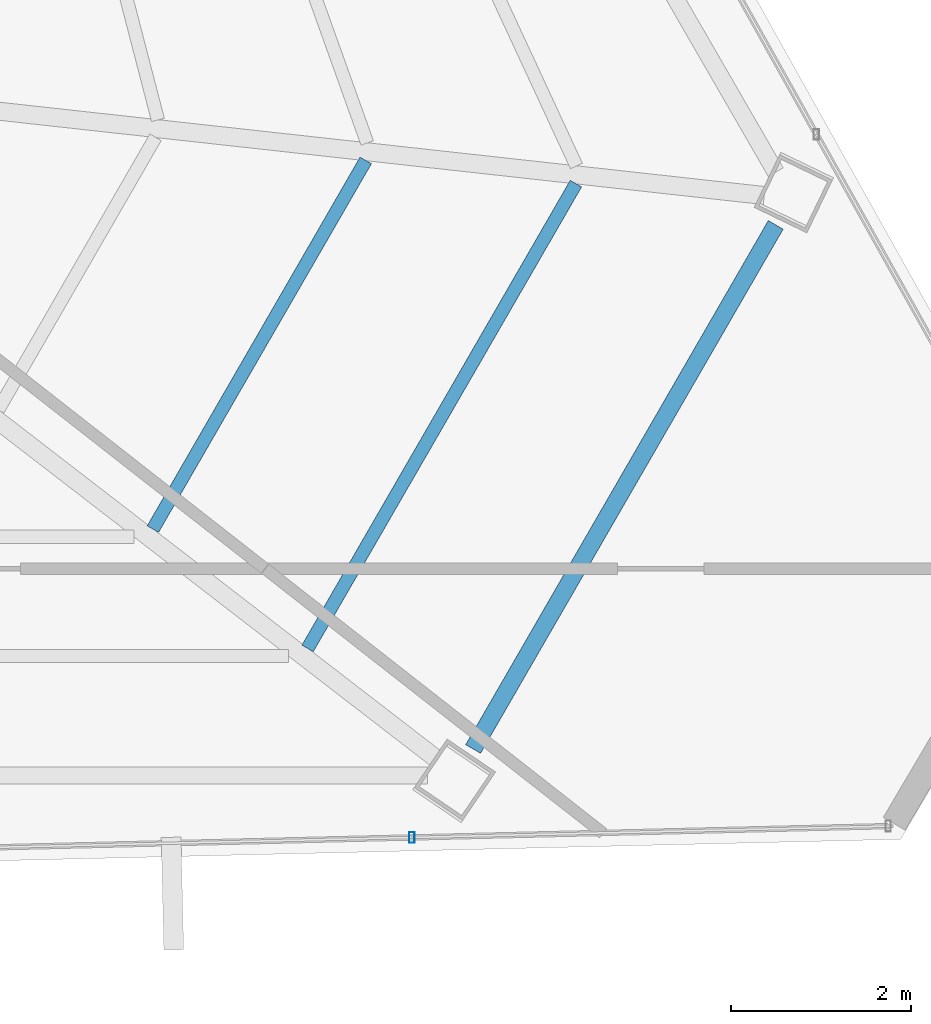
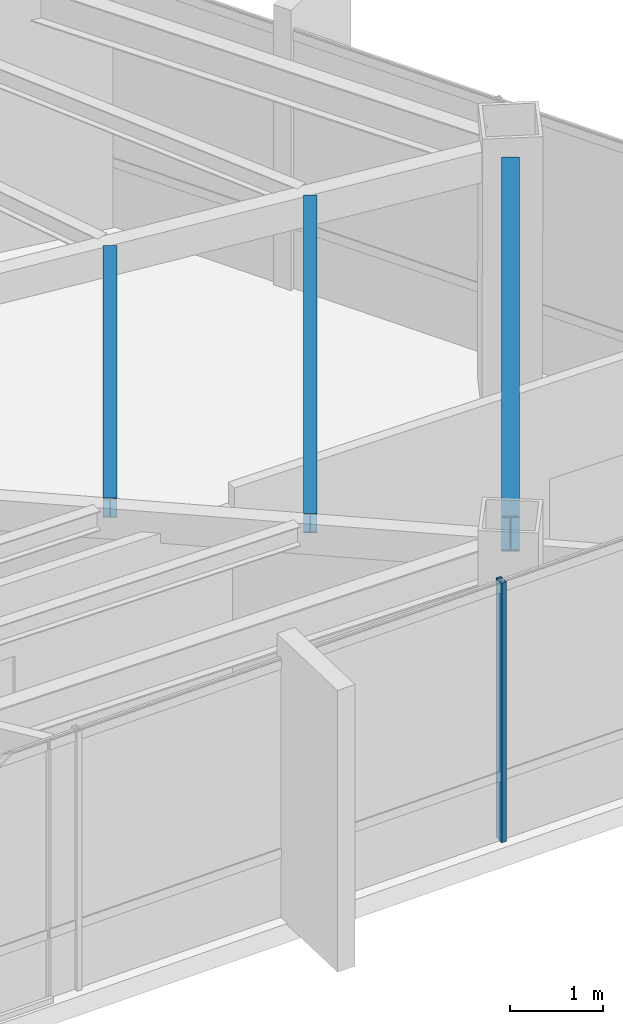
# One storey, part 21 of 44: 3 beams, 1 member, 1 element without a shape of its own.
"""IFC4 building model written with IfcOpenShell, lengths in metres."""

import ifcopenshell
import ifcopenshell.guid

model = None  # the IFC model being written
_history = None  # IfcOwnerHistory: only IFC2X3 demands one
_inside = {}  # id of a spatial element -> (the spatial element, [elements in it])
_under = {}  # id of a project, library or spatial element -> (it, [spatial elements below it])
_declared = {}  # id of a project -> (the project, [libraries it declares])
_typed = {}  # id of a type object -> (the type object, [elements of that type])
_made_of = {}  # id of a material, layer set ... -> (it, [elements and type objects made of it])


def new_model(schema):
    """Start an empty IFC model of exactly this schema.

    Asked for "IFC4X3", IfcOpenShell would pick the latest addendum, in which some entities
    have other attributes; the version numbers below select the first issue.
    IFC2X3 requires an IfcOwnerHistory on every rooted entity: one is made here for all.
    """
    global model, _history
    if schema == "IFC4X3":
        model = ifcopenshell.file(schema_version=(4, 3, 0, 0))
    else:
        model = ifcopenshell.file(schema=schema)
    _inside.clear()
    _under.clear()
    _declared.clear()
    _typed.clear()
    _made_of.clear()
    _history = None
    if model.schema == "IFC2X3":
        org = make("IfcOrganization", Name="unknown")
        user = make(
            "IfcPersonAndOrganization",
            ThePerson=make("IfcPerson", FamilyName="unknown"),
            TheOrganization=org,
        )
        app = make(
            "IfcApplication",
            ApplicationDeveloper=org,
            Version="unknown",
            ApplicationFullName="unknown",
            ApplicationIdentifier="unknown",
        )
        _history = make(
            "IfcOwnerHistory",
            OwningUser=user,
            OwningApplication=app,
            ChangeAction="ADDED",
            CreationDate=0,
        )
    return model


def make(cls, **values):
    """One entity of the class cls with the attributes given. An attribute that is None is left unset."""
    return model.create_entity(
        cls, **{name: value for name, value in values.items() if value is not None}
    )


def rooted(cls, **values):
    """An entity with a GlobalId (a new one), such as an element, a storey or a relation."""
    return make(cls, GlobalId=ifcopenshell.guid.new(), OwnerHistory=_history, **values)


def si_unit(unit_type, name, prefix=None):
    """IfcSIUnit, for example si_unit("LENGTHUNIT", "METRE", prefix="MILLI")."""
    return make("IfcSIUnit", UnitType=unit_type, Prefix=prefix, Name=name)


def assignment(units):
    """IfcUnitAssignment: the units of a project."""
    return None if units is None else make("IfcUnitAssignment", Units=units)


def point(xyz):
    """IfcCartesianPoint."""
    return None if xyz is None else make("IfcCartesianPoint", Coordinates=xyz)


def direction(xyz):
    """IfcDirection."""
    return None if xyz is None else make("IfcDirection", DirectionRatios=xyz)


def frame(location, z_axis=None, x_axis=None):
    """IfcAxis2Placement3D, a coordinate frame: its origin and axes. An axis left out is left unset."""
    return make(
        "IfcAxis2Placement3D",
        Location=point(location),
        Axis=direction(z_axis),
        RefDirection=direction(x_axis),
    )


def frame_2d(location, x_axis=None):
    """IfcAxis2Placement2D, a coordinate frame in the plane: its origin and x axis."""
    return make(
        "IfcAxis2Placement2D", Location=point(location), RefDirection=direction(x_axis)
    )


def origin():
    """The frame at (0, 0, 0) with its axes left unset."""
    return frame((0.0, 0.0, 0.0))


def origin_2d():
    """The frame at (0, 0) in the plane with its x axis left unset."""
    return frame_2d((0.0, 0.0))


def place(relative_to, where):
    """IfcLocalPlacement: puts the frame where relative to a parent placement (None: the world)."""
    return make(
        "IfcLocalPlacement", PlacementRelTo=relative_to, RelativePlacement=where
    )


def context(
    kind, dimensions, precision=None, world=None, true_north=None, identifier=None
):
    """IfcGeometricRepresentationContext, for example the 3D "Model" context."""
    return make(
        "IfcGeometricRepresentationContext",
        ContextIdentifier=identifier,
        ContextType=kind,
        CoordinateSpaceDimension=dimensions,
        Precision=precision,
        WorldCoordinateSystem=world,
        TrueNorth=true_north,
    )


def subcontext(parent, identifier, kind, view, scale=None):
    """IfcGeometricRepresentationSubContext, for example "Body" below "Model"."""
    return make(
        "IfcGeometricRepresentationSubContext",
        ContextIdentifier=identifier,
        ContextType=kind,
        ParentContext=parent,
        TargetScale=scale,
        TargetView=view,
    )


def project(units=None, contexts=None):
    """IfcProject with its units and contexts."""
    return rooted(
        "IfcProject",
        Name="project",
        RepresentationContexts=contexts,
        UnitsInContext=assignment(units),
    )


def spatial(cls, under=None, at=None, **own):
    """A site, building, storey or space (cls), placed at a placement, below another one or the project."""
    s = rooted(cls, ObjectPlacement=at, **own)
    if under is not None:
        _under.setdefault(under.id(), (under, []))[1].append(s)
    return s


def profile(cls, at=None, kind="AREA", **sizes):
    """A parametric profile (cls). Its sizes go by their IFC names, for example OverallWidth=200.0."""
    return make(cls, ProfileType=kind, Position=at, **sizes)


def hollow_rectangle(**sizes):
    """IfcRectangleHollowProfileDef."""
    return profile("IfcRectangleHollowProfileDef", **sizes)


def i_section(**sizes):
    """IfcIShapeProfileDef."""
    return profile("IfcIShapeProfileDef", **sizes)


def extrude(swept, where, along, depth):
    """IfcExtrudedAreaSolid: the profile swept, set in the frame where, extruded along a direction by depth."""
    return make(
        "IfcExtrudedAreaSolid",
        SweptArea=swept,
        Position=where,
        ExtrudedDirection=direction(along),
        Depth=depth,
    )


def shape(context_of_items, identifier, shape_type, items):
    """IfcShapeRepresentation: the items that make up one representation, for example the "Body"."""
    return make(
        "IfcShapeRepresentation",
        ContextOfItems=context_of_items,
        RepresentationIdentifier=identifier,
        RepresentationType=shape_type,
        Items=items,
    )


def source(mapping_origin, context_of_items, identifier, shape_type, items):
    """IfcRepresentationMap: a shape defined once, which mapped items show again and again."""
    return make(
        "IfcRepresentationMap",
        MappingOrigin=mapping_origin,
        MappedRepresentation=shape(context_of_items, identifier, shape_type, items),
    )


def transform(
    local_origin,
    x_axis=None,
    y_axis=None,
    z_axis=None,
    scale=None,
    scale2=None,
    scale3=None,
    uniform=True,
):
    """IfcCartesianTransformationOperator3D, or its non-uniform kind. x_axis, y_axis, z_axis: its Axis1, 2, 3."""
    if uniform:
        return make(
            "IfcCartesianTransformationOperator3D",
            Axis1=direction(x_axis),
            Axis2=direction(y_axis),
            LocalOrigin=point(local_origin),
            Scale=scale,
            Axis3=direction(z_axis),
        )
    return make(
        "IfcCartesianTransformationOperator3DnonUniform",
        Axis1=direction(x_axis),
        Axis2=direction(y_axis),
        LocalOrigin=point(local_origin),
        Scale=scale,
        Axis3=direction(z_axis),
        Scale2=scale2,
        Scale3=scale3,
    )


def mapped(mapping_source, mapping_target):
    """IfcMappedItem: shows the shape of a source again, moved by a transform."""
    return make(
        "IfcMappedItem", MappingSource=mapping_source, MappingTarget=mapping_target
    )


def material(Name=None, Category=None):
    """IfcMaterial."""
    return make("IfcMaterial", Name=Name, Category=Category)


def material_profile(
    of_material, cross_section, Name=None, Category=None, Priority=None
):
    """IfcMaterialProfile: a cross section and its material."""
    return make(
        "IfcMaterialProfile",
        Name=Name,
        Material=of_material,
        Profile=cross_section,
        Priority=Priority,
        Category=Category,
    )


def profile_set(profiles, Name=None, composite=None):
    """IfcMaterialProfileSet."""
    return make(
        "IfcMaterialProfileSet",
        Name=Name,
        MaterialProfiles=profiles,
        CompositeProfile=composite,
    )


def made_of(thing, what):
    """Note that an element or type object is made of a material, layer set ...; save() writes the relation."""
    if what is not None:
        _made_of.setdefault(what.id(), (what, []))[1].append(thing)
    return thing


def type_object(cls, material=None, **own):
    """A type object (cls), such as IfcWallType, which elements share."""
    return made_of(rooted(cls, **own), material)


def type_shapes(of_type, sources):
    """Give a type object the sources (RepresentationMaps) that its elements show as mapped items."""
    of_type.RepresentationMaps = sources


def element(
    cls,
    number,
    at=None,
    inside=None,
    cuts=None,
    type_object=None,
    material=None,
    context=None,
    identifier="Body",
    shape_type=None,
    held_by="IfcProductDefinitionShape",
    body=None,
    shapes=None,
    **own,
):
    """One element of the class cls, such as IfcWall. Its Tag is "e" and its number.

    at: its placement. inside: the storey or other place that contains it. cuts: it is an
    opening in that element (IfcRelVoidsElement). A single representation is given by context,
    identifier, shape_type and body (its items); several are given by shapes. held_by: the class
    of the entity that holds the representations. save() writes the other relations.
    """
    e = rooted(cls, Tag="e%d" % number, ObjectPlacement=at, **own)
    if body is not None:
        shapes = [shape(context, identifier, shape_type, body)]
    if shapes is not None:
        e.Representation = make(held_by, Representations=shapes)
    if inside is not None:
        _inside.setdefault(inside.id(), (inside, []))[1].append(e)
    if cuts is not None:
        rooted(
            "IfcRelVoidsElement", RelatingBuildingElement=cuts, RelatedOpeningElement=e
        )
    if type_object is not None:
        _typed.setdefault(type_object.id(), (type_object, []))[1].append(e)
    return made_of(e, material)


def aggregate(whole, parts):
    """IfcRelAggregates: a whole, such as a stair, and the parts it consists of."""
    return rooted("IfcRelAggregates", RelatingObject=whole, RelatedObjects=parts)


def save(model, path):
    """Write the relations noted so far, then the file.

    IfcRelAggregates (storeys below a building ...), IfcRelContainedInSpatialStructure (elements
    in a storey), IfcRelDefinesByType, IfcRelAssociatesMaterial and IfcRelDeclares: one each for
    every whole, place, type object, material and project.
    """
    for whole, parts in _under.values():
        aggregate(whole, parts)
    for where, things in _inside.values():
        rooted(
            "IfcRelContainedInSpatialStructure",
            RelatedElements=things,
            RelatingStructure=where,
        )
    for kind, things in _typed.values():
        rooted("IfcRelDefinesByType", RelatedObjects=things, RelatingType=kind)
    for what, things in _made_of.values():
        rooted("IfcRelAssociatesMaterial", RelatedObjects=things, RelatingMaterial=what)
    for by, libraries in _declared.values():
        rooted("IfcRelDeclares", RelatingContext=by, RelatedDefinitions=libraries)
    model.write(path)


model = new_model("IFC4")

# Units and contexts
model_context = context("Model", 3, precision=1e-05, world=origin(), true_north=direction((0.0, 1.0)))
body_context = subcontext(model_context, "Body", "Model", "MODEL_VIEW")
ifc_project = project(units=[si_unit("LENGTHUNIT", "METRE"), si_unit("AREAUNIT", "SQUARE_METRE"), si_unit("VOLUMEUNIT", "CUBIC_METRE"), si_unit("PLANEANGLEUNIT", "RADIAN"), si_unit("MASSUNIT", "GRAM", prefix="KILO")], contexts=[model_context])

# Site, building, storey
site_placement = place(None, origin())
site = spatial("IfcSite", under=ifc_project, at=site_placement, CompositionType="ELEMENT")
building_placement = place(site_placement, origin())
building = spatial("IfcBuilding", under=site, at=building_placement, Name="Caelisora Broadcast Tower", CompositionType="ELEMENT")
storey_placement = place(building_placement, frame((0.0, 0.0, 259.050048828125)))
storey = spatial("IfcBuildingStorey", under=building, at=storey_placement, Name="L68", CompositionType="ELEMENT", Elevation=259.050048828125)

# Beams
ifc_material_1 = material(Name="Steel Grade 350 (AS/NZS 3679.1)", Category="steel")
ifc_material_profile_1 = material_profile(ifc_material_1, i_section(OverallWidth=0.19091796875, OverallDepth=0.46044921875, WebThickness=0.010009765625, FlangeThickness=0.01611328125, at=origin_2d()), Name="Steel Grade 350 (AS/NZS 3679.1)")
ifc_profile_set_1 = profile_set([ifc_material_profile_1], Name="Steel Grade 350 (AS/NZS 3679.1)")
beam_type_1 = type_object("IfcBeamType", Name="PG06", PredefinedType="BEAM", material=ifc_profile_set_1)
shared_shape_1 = source(origin(), body_context, "Body", "SweptSolid", [
    extrude(i_section(OverallWidth=0.19091796875, OverallDepth=0.46044921875, WebThickness=0.010009765625, FlangeThickness=0.01611328125, at=origin_2d()), origin(), (0.0, 0.0, 1.0), 6.71484375),
])
type_shapes(beam_type_1, [shared_shape_1])
beam_1_placement = place(storey_placement, frame((55.9677734375, 9.74951171875, 3.169677734375), z_axis=(0.500002561588, 0.866023924846, 0.0), x_axis=(-0.866023924846, 0.500002561588, 0.0)))
element("IfcBeam", 1, at=beam_1_placement, inside=storey, type_object=beam_type_1, Name="L68 beam PG06", PredefinedType="BEAM", context=body_context, shape_type="MappedRepresentation", body=[
    mapped(shared_shape_1, transform((0.0, 0.0, 0.0), scale=1.0)),
])
ifc_material_profile_2 = material_profile(ifc_material_1, i_section(OverallWidth=0.14599609375, OverallDepth=0.256103515625, WebThickness=0.00634765625, FlangeThickness=0.010986328125, at=origin_2d()), Name="Steel Grade 350 (AS/NZS 3679.1)")
ifc_profile_set_2 = profile_set([ifc_material_profile_2], Name="Steel Grade 350 (AS/NZS 3679.1)")
beam_type_2 = type_object("IfcBeamType", Name="SB04", PredefinedType="JOIST", material=ifc_profile_set_2)
shared_shape_2 = source(origin(), body_context, "Body", "SweptSolid", [
    extrude(i_section(OverallWidth=0.14599609375, OverallDepth=0.256103515625, WebThickness=0.00634765625, FlangeThickness=0.010986328125, at=origin_2d()), origin(), (0.0, 0.0, 1.0), 4.723388671875),
])
beam_2_placement = place(storey_placement, frame((52.414794921875, 12.189208984375, 3.27197265625), z_axis=(0.499980471007, 0.86603667856, 0.0), x_axis=(-0.86603667856, 0.499980471007, 0.0)))
element("IfcBeam", 2, at=beam_2_placement, inside=storey, type_object=beam_type_2, Name="L68 beam SB04", PredefinedType="JOIST", context=body_context, shape_type="MappedRepresentation", body=[
    mapped(shared_shape_2, transform((0.0, 0.0, 0.0), scale=1.0)),
])
shared_shape_3 = source(origin(), body_context, "Body", "SweptSolid", [
    extrude(i_section(OverallWidth=0.14599609375, OverallDepth=0.256103515625, WebThickness=0.00634765625, FlangeThickness=0.010986328125, at=origin_2d()), origin(), (0.0, 0.0, 1.0), 5.955078125),
])
type_shapes(beam_type_2, [shared_shape_2, shared_shape_3])
beam_3_placement = place(storey_placement, frame((54.131103515625, 10.865478515625, 3.27197265625), z_axis=(0.500001626982, 0.866024464444, 0.0), x_axis=(-0.866024464444, 0.500001626982, 0.0)))
element("IfcBeam", 3, at=beam_3_placement, inside=storey, type_object=beam_type_2, Name="L68 beam SB04", PredefinedType="JOIST", context=body_context, shape_type="MappedRepresentation", body=[
    mapped(shared_shape_3, transform((0.0, 0.0, 0.0), scale=1.0)),
])

# Curtain wall, member
ifc_material_2 = material(Name="Unitised Aluminium and Low-E Glass Curtain Wall", Category="glass")
curtain_wall_type = type_object("IfcCurtainWallType", Name="CW-Z5", PredefinedType="NOTDEFINED", material=ifc_material_2)
curtain_wall_placement = place(storey_placement, origin())
curtain_wall = element("IfcCurtainWall", 4, at=curtain_wall_placement, inside=storey, type_object=curtain_wall_type, Name="L68 curtain wall CW-Z5", PredefinedType="NOTDEFINED")
ifc_material_3 = material(Name="Aluminium 6063-T6 Anodised Terracotta Bronze", Category="aluminium")
ifc_material_profile_3 = material_profile(ifc_material_3, hollow_rectangle(XDim=0.06005859375, YDim=0.1201171875, WallThickness=0.0029296875, at=origin_2d()), Name="Aluminium 6063-T6 Anodised Terracotta Bronze")
ifc_profile_set_3 = profile_set([ifc_material_profile_3], Name="Aluminium 6063-T6 Anodised Terracotta Bronze")
member_type = type_object("IfcMemberType", Name="CWM-04", PredefinedType="MULLION", material=ifc_profile_set_3)
shared_shape_4 = source(origin(), body_context, "Body", "SweptSolid", [
    extrude(hollow_rectangle(XDim=0.06005859375, YDim=0.1201171875, WallThickness=0.0029296875, at=origin_2d()), origin(), (0.0, 0.0, 1.0), 3.39990234375),
])
type_shapes(member_type, [shared_shape_4])
member_placement = place(storey_placement, frame((55.288330078125, 8.768310546875, 0.0), z_axis=(0.0, 0.0, 1.0), x_axis=(1.0, 0.0, 0.0)))
member = element("IfcMember", 5, at=member_placement, type_object=member_type, Name="L68-CW-B05 mullion #1", PredefinedType="MULLION", context=body_context, shape_type="MappedRepresentation", body=[
    mapped(shared_shape_4, transform((0.0, 0.0, 0.0), scale=1.0)),
])
aggregate(curtain_wall, [member])

save(model, "model.ifc")
